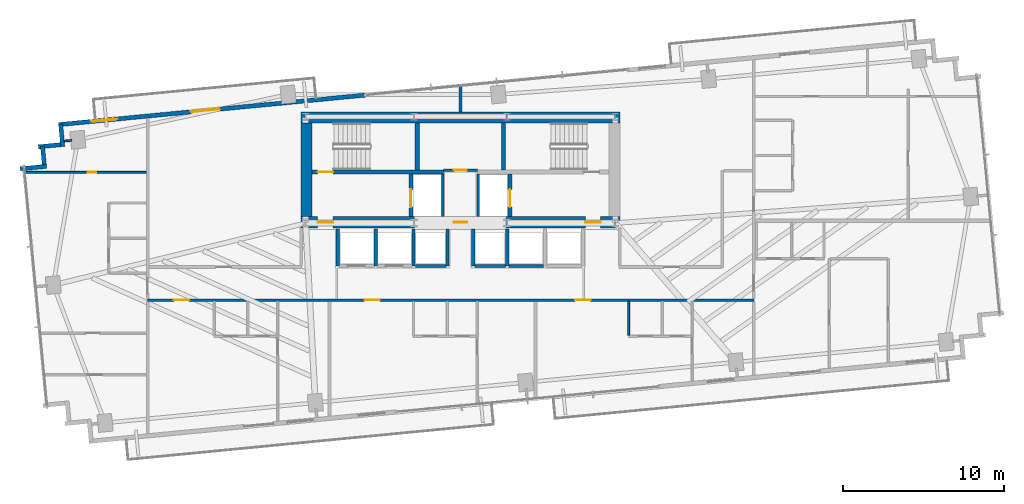
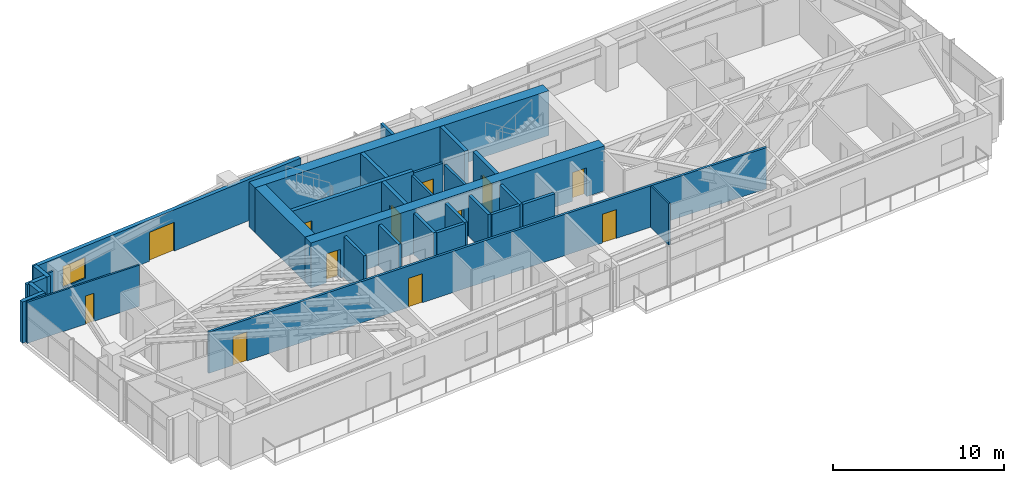
# One storey, part 22 of 27: 30 walls, 12 doors, 1 window, 13 openings.
"""IFC4 building model written with IfcOpenShell, lengths in metres."""

from ifc_helpers import new_model, si_unit, direction, frame, frame_2d, origin, place, context, subcontext, project, spatial, rectangle, extrude, source, transform, mapped, material, layer, layer_set, type_object, type_shapes, element, fill, save


model = new_model("IFC4")

# Units and contexts
model_context = context("Model", 3, precision=1e-05, world=origin(), true_north=direction((0.0, 1.0)))
body_context = subcontext(model_context, "Body", "Model", "MODEL_VIEW")
ifc_project = project(units=[si_unit("LENGTHUNIT", "METRE"), si_unit("AREAUNIT", "SQUARE_METRE"), si_unit("VOLUMEUNIT", "CUBIC_METRE"), si_unit("PLANEANGLEUNIT", "RADIAN"), si_unit("MASSUNIT", "GRAM", prefix="KILO")], contexts=[model_context])

# Site, building, storey
site_placement = place(None, origin())
site = spatial("IfcSite", under=ifc_project, at=site_placement, CompositionType="ELEMENT")
building_placement = place(site_placement, origin())
building = spatial("IfcBuilding", under=site, at=building_placement, Name="Astriad Promenade Condominiums", CompositionType="ELEMENT")
storey_placement = place(building_placement, frame((0.0, 0.0, 93.800048828125)))
storey = spatial("IfcBuildingStorey", under=building, at=storey_placement, Name="L26", CompositionType="ELEMENT", Elevation=93.800048828125)

# Wall, openings, doors
ifc_material_1 = material(Name="Concrete C60/75", Category="concrete")
ifc_layer_1 = layer(ifc_material_1, 0.699951171875)
ifc_layer_set_1 = layer_set([ifc_layer_1], Name="Concrete C60/75")
wall_type_1 = type_object("IfcWallType", Name="CW-SHEAR-700", PredefinedType="SHEAR", material=ifc_layer_set_1)
wall_1_placement = place(storey_placement, frame((26.10009765625, 17.449951171875, 0.0), z_axis=(0.0, 0.0, 1.0), x_axis=(1.0, 0.0, 0.0)))
wall_1 = element("IfcWall", 1, at=wall_1_placement, inside=storey, type_object=wall_type_1, Name="CW-CORE-S-L26", PredefinedType="SHEAR", context=body_context, shape_type="SweptSolid", body=[
    extrude(rectangle(XDim=19.7998046875, YDim=0.699951171875, at=frame_2d((9.89990234375, 0.0))), origin(), (0.0, 0.0, 1.0), 3.199951171875),
])
opening_1_placement = place(wall_1_placement, frame((1.050048828125, 0.0, 0.0)))
opening_1 = element("IfcOpeningElement", 2, at=opening_1_placement, cuts=wall_1, Name="Opening FD90-ST-095", PredefinedType="OPENING", context=body_context, shape_type="SweptSolid", body=[
    extrude(rectangle(XDim=0.949951171875, YDim=2.06005859375, at=frame_2d((0.47509765625, 1.030029296875))), frame((0.0, 0.35986328125, 0.0), z_axis=(0.0, -1.0, 0.0), x_axis=(1.0, 0.0, 0.0)), (0.0, 0.0, 1.0), 0.719970703125),
])
opening_2_placement = place(wall_1_placement, frame((9.47998046875, 0.0, 0.0)))
opening_2 = element("IfcOpeningElement", 3, at=opening_2_placement, cuts=wall_1, Name="Opening FD60-ULOW-085", PredefinedType="OPENING", context=body_context, shape_type="SweptSolid", body=[
    extrude(rectangle(XDim=0.85009765625, YDim=2.0, at=frame_2d((0.425048828125, 1.0))), frame((0.0, 0.35986328125, 0.0), z_axis=(0.0, -1.0, 0.0), x_axis=(1.0, 0.0, 0.0)), (0.0, 0.0, 1.0), 0.719970703125),
])
opening_3_placement = place(wall_1_placement, frame((17.64990234375, 0.0, 0.0)))
opening_3 = element("IfcOpeningElement", 4, at=opening_3_placement, cuts=wall_1, Name="Opening FD90-ST-095", PredefinedType="OPENING", context=body_context, shape_type="SweptSolid", body=[
    extrude(rectangle(XDim=0.949951171875, YDim=2.06005859375, at=frame_2d((0.47509765625, 1.030029296875))), frame((0.0, 0.35986328125, 0.0), z_axis=(0.0, -1.0, 0.0), x_axis=(1.0, 0.0, 0.0)), (0.0, 0.0, 1.0), 0.719970703125),
])
ifc_material_2 = material(Name="Fire-Rated Hollow Metal Stair Door")
door_type_1 = type_object("IfcDoorType", Name="FD90-ST-095", OperationType="NOTDEFINED", PredefinedType="DOOR", material=ifc_material_2)
shared_shape_1 = source(origin(), body_context, "Body", "SweptSolid", [
    extrude(rectangle(XDim=0.949951171875, YDim=2.06005859375, at=frame_2d((0.47509765625, 1.030029296875))), frame((0.0, 0.02490234375, 0.0), z_axis=(0.0, -1.0, 0.0), x_axis=(1.0, 0.0, 0.0)), (0.0, 0.0, 1.0), 0.050048828125),
])
type_shapes(door_type_1, [shared_shape_1])
door_1_placement = place(opening_1_placement, origin())
door_1 = element("IfcDoor", 5, at=door_1_placement, inside=storey, type_object=door_type_1, Name="D-FFW-L26", OperationType="SINGLE_SWING_LEFT", OverallHeight=2.06005859375, OverallWidth=0.949951171875, PredefinedType="DOOR", context=body_context, shape_type="MappedRepresentation", body=[
    mapped(shared_shape_1, transform((0.0, 0.0, 0.0), scale=1.0)),
])
fill(opening_1, door_1)
door_2_placement = place(opening_3_placement, origin())
door_2 = element("IfcDoor", 6, at=door_2_placement, inside=storey, type_object=door_type_1, Name="D-FFE-L26", OperationType="SINGLE_SWING_RIGHT", OverallHeight=2.06005859375, OverallWidth=0.949951171875, PredefinedType="DOOR", context=body_context, shape_type="MappedRepresentation", body=[
    mapped(shared_shape_1, transform((0.0, 0.0, 0.0), scale=1.0)),
])
fill(opening_3, door_2)
ifc_material_3 = material(Name="Solid-Core Low-Headroom Fire Door")
door_type_2 = type_object("IfcDoorType", Name="FD60-ULOW-085", OperationType="NOTDEFINED", PredefinedType="DOOR", material=ifc_material_3)
shared_shape_2 = source(origin(), body_context, "Body", "SweptSolid", [
    extrude(rectangle(XDim=0.85009765625, YDim=2.0, at=frame_2d((0.425048828125, 1.0))), frame((0.0, 0.02490234375, 0.0), z_axis=(0.0, -1.0, 0.0), x_axis=(1.0, 0.0, 0.0)), (0.0, 0.0, 1.0), 0.050048828125),
])
type_shapes(door_type_2, [shared_shape_2])
door_3_placement = place(opening_2_placement, origin())
door_3 = element("IfcDoor", 7, at=door_3_placement, inside=storey, type_object=door_type_2, Name="D-CSL-L26", OperationType="SINGLE_SWING_RIGHT", OverallHeight=2.0, OverallWidth=0.85009765625, PredefinedType="DOOR", context=body_context, shape_type="MappedRepresentation", body=[
    mapped(shared_shape_2, transform((0.0, 0.0, 0.0), scale=1.0)),
])
fill(opening_2, door_3)

# Walls
wall_2_placement = place(storey_placement, frame((26.10009765625, 23.949951171875, 0.0), z_axis=(0.0, 0.0, 1.0), x_axis=(1.0, 0.0, 0.0)))
element("IfcWall", 8, at=wall_2_placement, inside=storey, type_object=wall_type_1, Name="CW-CORE-N-L26", PredefinedType="SHEAR", context=body_context, shape_type="SweptSolid", body=[
    extrude(rectangle(XDim=19.7998046875, YDim=0.699951171875, at=frame_2d((9.89990234375, 0.0))), origin(), (0.0, 0.0, 1.0), 3.199951171875),
])
wall_3_placement = place(storey_placement, frame((26.449951171875, 17.802001953125, 0.0), z_axis=(0.0, 0.0, 1.0), x_axis=(0.0, 1.0, 0.0)))
element("IfcWall", 9, at=wall_3_placement, inside=storey, type_object=wall_type_1, Name="CW-CORE-W-L26", PredefinedType="SHEAR", context=body_context, shape_type="SweptSolid", body=[
    extrude(rectangle(XDim=5.7958984375, YDim=0.699951171875, at=frame_2d((2.89794921875, 0.0))), origin(), (0.0, 0.0, 1.0), 3.199951171875),
])

# Wall, opening, door
ifc_material_4 = material(Name="Concrete C50/60", Category="concrete")
ifc_layer_2 = layer(ifc_material_4, 0.25)
ifc_layer_set_2 = layer_set([ifc_layer_2], Name="Concrete C50/60")
wall_type_2 = type_object("IfcWallType", Name="WALL-CORE-INT-250", PredefinedType="SOLIDWALL", material=ifc_layer_set_2)
wall_4_placement = place(storey_placement, frame((26.802001953125, 20.574951171875, 0.0), z_axis=(0.0, 0.0, 1.0), x_axis=(1.0, 0.0, 0.0)))
wall_4 = element("IfcWall", 10, at=wall_4_placement, inside=storey, type_object=wall_type_2, Name="CW-INT-H1-L26", PredefinedType="SOLIDWALL", context=body_context, shape_type="SweptSolid", body=[
    extrude(rectangle(XDim=8.14794921875, YDim=0.25, at=frame_2d((4.073974609375, 0.0))), origin(), (0.0, 0.0, 1.0), 3.199951171875),
])
opening_4_placement = place(wall_4_placement, frame((0.347900390625, 0.0, 0.0)))
opening_4 = element("IfcOpeningElement", 11, at=opening_4_placement, cuts=wall_4, Name="Opening FD90-ST-095", PredefinedType="OPENING", context=body_context, shape_type="SweptSolid", body=[
    extrude(rectangle(XDim=0.949951171875, YDim=2.06005859375, at=frame_2d((0.47509765625, 1.030029296875))), frame((0.0, 0.135009765625, 0.0), z_axis=(0.0, -1.0, 0.0), x_axis=(1.0, 0.0, 0.0)), (0.0, 0.0, 1.0), 0.27001953125),
])
door_4_placement = place(opening_4_placement, origin())
door_4 = element("IfcDoor", 12, at=door_4_placement, inside=storey, type_object=door_type_1, Name="D-ST1-L26", OperationType="SINGLE_SWING_RIGHT", OverallHeight=2.06005859375, OverallWidth=0.949951171875, PredefinedType="DOOR", context=body_context, shape_type="MappedRepresentation", body=[
    mapped(shared_shape_1, transform((0.0, 0.0, 0.0), scale=1.0)),
])
fill(opening_4, door_4)

# Walls
for number, where, z_axis, x_axis, name in (
    (13, (33.324951171875, 20.701904296875, 0.0), (0.0, 0.0, 1.0), (0.0, 1.0, 0.0), "CW-ST1-E-L26"),
    (14, (38.675048828125, 20.701904296875, 0.0), (0.0, 0.0, 1.0), (0.0, 1.0, 0.0), "CW-ST2-W-L26"),
):
    element("IfcWall", number, at=place(storey_placement, frame(where, z_axis=z_axis, x_axis=x_axis)), inside=storey, type_object=wall_type_2, Name=name, PredefinedType="SOLIDWALL", context=body_context, shape_type="SweptSolid", body=[
        extrude(rectangle(XDim=2.89599609375, YDim=0.25, at=frame_2d((1.447998046875, 0.0))), origin(), (0.0, 0.0, 1.0), 3.199951171875),
    ])

# Wall, opening, door
wall_5_placement = place(storey_placement, frame((32.925048828125, 17.802001953125, 0.0), z_axis=(0.0, 0.0, 1.0), x_axis=(0.0, 1.0, 0.0)))
wall_5 = element("IfcWall", 15, at=wall_5_placement, inside=storey, type_object=wall_type_2, Name="CW-FFL1-W-L26", PredefinedType="SOLIDWALL", context=body_context, shape_type="SweptSolid", body=[
    extrude(rectangle(XDim=2.64599609375, YDim=0.25, at=frame_2d((1.322998046875, 0.0))), origin(), (0.0, 0.0, 1.0), 3.199951171875),
])
opening_5_placement = place(wall_5_placement, frame((0.597900390625, 0.0, 0.0)))
opening_5 = element("IfcOpeningElement", 16, at=opening_5_placement, cuts=wall_5, Name="Opening LD-FFL-1122", PredefinedType="OPENING", context=body_context, shape_type="SweptSolid", body=[
    extrude(rectangle(XDim=1.10009765625, YDim=2.080078125, at=frame_2d((0.550048828125, 1.0400390625))), frame((0.0, 0.135009765625, 0.0), z_axis=(0.0, -1.0, 0.0), x_axis=(1.0, 0.0, 0.0)), (0.0, 0.0, 1.0), 0.27001953125),
])
ifc_material_5 = material(Name="Brushed Stainless Steel Fire Elevator Landing Door", Category="steel")
door_type_3 = type_object("IfcDoorType", Name="LD-FFL-1122", OperationType="NOTDEFINED", PredefinedType="DOOR", material=ifc_material_5)
shared_shape_3 = source(origin(), body_context, "Body", "SweptSolid", [
    extrude(rectangle(XDim=1.10009765625, YDim=2.080078125, at=frame_2d((0.550048828125, 1.0400390625))), frame((0.0, 0.02490234375, 0.0), z_axis=(0.0, -1.0, 0.0), x_axis=(1.0, 0.0, 0.0)), (0.0, 0.0, 1.0), 0.050048828125),
])
type_shapes(door_type_3, [shared_shape_3])
door_5_placement = place(opening_5_placement, origin())
door_5 = element("IfcDoor", 17, at=door_5_placement, inside=storey, type_object=door_type_3, Name="Elevator Landing Door FFL-1 (L26)", OperationType="SLIDING_TO_LEFT", OverallHeight=2.080078125, OverallWidth=1.10009765625, PredefinedType="DOOR", context=body_context, shape_type="MappedRepresentation", body=[
    mapped(shared_shape_3, transform((0.0, 0.0, 0.0), scale=1.0)),
])
fill(opening_5, door_5)

wall_6_placement = place(storey_placement, frame((39.074951171875, 17.802001953125, 0.0), z_axis=(0.0, 0.0, 1.0), x_axis=(0.0, 1.0, 0.0)))
wall_6 = element("IfcWall", 18, at=wall_6_placement, inside=storey, type_object=wall_type_2, Name="CW-FFL2-E-L26", PredefinedType="SOLIDWALL", context=body_context, shape_type="SweptSolid", body=[
    extrude(rectangle(XDim=2.64599609375, YDim=0.25, at=frame_2d((1.322998046875, 0.0))), origin(), (0.0, 0.0, 1.0), 3.199951171875),
])
opening_6_placement = place(wall_6_placement, frame((0.597900390625, 0.0, 0.0)))
opening_6 = element("IfcOpeningElement", 19, at=opening_6_placement, cuts=wall_6, Name="Opening LD-FFL-1122", PredefinedType="OPENING", context=body_context, shape_type="SweptSolid", body=[
    extrude(rectangle(XDim=1.10009765625, YDim=2.080078125, at=frame_2d((0.550048828125, 1.0400390625))), frame((0.0, 0.135009765625, 0.0), z_axis=(0.0, -1.0, 0.0), x_axis=(1.0, 0.0, 0.0)), (0.0, 0.0, 1.0), 0.27001953125),
])
door_6_placement = place(opening_6_placement, origin())
door_6 = element("IfcDoor", 20, at=door_6_placement, inside=storey, type_object=door_type_3, Name="Elevator Landing Door FFL-2 (L26)", OperationType="SLIDING_TO_RIGHT", OverallHeight=2.080078125, OverallWidth=1.10009765625, PredefinedType="DOOR", context=body_context, shape_type="MappedRepresentation", body=[
    mapped(shared_shape_3, transform((0.0, 0.0, 0.0), scale=1.0)),
])
fill(opening_6, door_6)

# Walls
ifc_material_6 = material(Name="Fire-Rated Gypsum Partition")
ifc_layer_3 = layer(ifc_material_6, 0.159912109375)
ifc_layer_set_3 = layer_set([ifc_layer_3], Name="Fire-Rated Gypsum Partition")
wall_type_3 = type_object("IfcWallType", Name="WALL-CORR-160", PredefinedType="PARTITIONING", material=ifc_layer_set_3)
for number, where, z_axis, x_axis, name in (
    (21, (34.89990234375, 17.802001953125, 0.0), (0.0, 0.0, 1.0), (0.0, 1.0, 0.0), "CW-FFL1-E-L26"),
    (22, (37.10009765625, 17.802001953125, 0.0), (0.0, 0.0, 1.0), (0.0, 1.0, 0.0), "CW-FFL2-W-L26"),
):
    element("IfcWall", number, at=place(storey_placement, frame(where, z_axis=z_axis, x_axis=x_axis)), inside=storey, type_object=wall_type_3, Name=name, PredefinedType="PARTITIONING", context=body_context, shape_type="SweptSolid", body=[
        extrude(rectangle(XDim=2.64599609375, YDim=0.159912109375, at=frame_2d((1.322998046875, 0.0))), origin(), (0.0, 0.0, 1.0), 2.93994140625),
    ])

# Wall, opening, door
wall_7_placement = place(storey_placement, frame((34.949951171875, 20.68994140625, 0.0), z_axis=(0.0, 0.0, 1.0), x_axis=(1.0, 0.0, 0.0)))
wall_7 = element("IfcWall", 23, at=wall_7_placement, inside=storey, type_object=wall_type_3, Name="CW-AUX-S-L26", PredefinedType="PARTITIONING", context=body_context, shape_type="SweptSolid", body=[
    extrude(rectangle(XDim=2.10009765625, YDim=0.159912109375, at=frame_2d((1.050048828125, 0.0))), origin(), (0.0, 0.0, 1.0), 2.93994140625),
])
opening_7_placement = place(wall_7_placement, frame((0.64990234375, 0.0, 0.0)))
opening_7 = element("IfcOpeningElement", 24, at=opening_7_placement, cuts=wall_7, Name="Opening FD60-SV-080", PredefinedType="OPENING", context=body_context, shape_type="SweptSolid", body=[
    extrude(rectangle(XDim=0.800048828125, YDim=2.050048828125, at=frame_2d((0.39990234375, 1.02490234375))), frame((0.0, 0.08984375, 0.0), z_axis=(0.0, -1.0, 0.0), x_axis=(1.0, 0.0, 0.0)), (0.0, 0.0, 1.0), 0.179931640625),
])
ifc_material_7 = material(Name="Fire-Rated Riser Closet Door")
door_type_4 = type_object("IfcDoorType", Name="FD60-SV-080", OperationType="NOTDEFINED", PredefinedType="DOOR", material=ifc_material_7)
shared_shape_4 = source(origin(), body_context, "Body", "SweptSolid", [
    extrude(rectangle(XDim=0.800048828125, YDim=2.050048828125, at=frame_2d((0.39990234375, 1.02490234375))), frame((0.0, 0.02490234375, 0.0), z_axis=(0.0, -1.0, 0.0), x_axis=(1.0, 0.0, 0.0)), (0.0, 0.0, 1.0), 0.050048828125),
])
type_shapes(door_type_4, [shared_shape_4])
door_7_placement = place(opening_7_placement, origin())
door_7 = element("IfcDoor", 25, at=door_7_placement, inside=storey, type_object=door_type_4, Name="D-AUX1-L26", OperationType="SINGLE_SWING_RIGHT", OverallHeight=2.050048828125, OverallWidth=0.800048828125, PredefinedType="DOOR", context=body_context, shape_type="MappedRepresentation", body=[
    mapped(shared_shape_4, transform((0.0, 0.0, 0.0), scale=1.0)),
])
fill(opening_7, door_7)

# Wall, openings, doors
wall_8_placement = place(storey_placement, frame((16.60009765625, 12.6298828125, 0.0), z_axis=(0.0, 0.0, 1.0), x_axis=(1.0, 0.0, 0.0)))
wall_8 = element("IfcWall", 26, at=wall_8_placement, inside=storey, type_object=wall_type_3, Name="PT-COR-S-L26", PredefinedType="PARTITIONING", context=body_context, shape_type="SweptSolid", body=[
    extrude(rectangle(XDim=37.599853515625, YDim=0.159912109375, at=frame_2d((18.7998046875, 0.0))), origin(), (0.0, 0.0, 1.0), 2.93994140625),
])
opening_8_placement = place(wall_8_placement, frame((1.6259765625, 0.0, 0.0)))
opening_8 = element("IfcOpeningElement", 27, at=opening_8_placement, cuts=wall_8, Name="Opening FD60-APT-095", PredefinedType="OPENING", context=body_context, shape_type="SweptSolid", body=[
    extrude(rectangle(XDim=0.949951171875, YDim=2.06005859375, at=frame_2d((0.47509765625, 1.030029296875))), frame((0.0, 0.08984375, 0.0), z_axis=(0.0, -1.0, 0.0), x_axis=(1.0, 0.0, 0.0)), (0.0, 0.0, 1.0), 0.179931640625),
])
opening_9_placement = place(wall_8_placement, frame((13.4599609375, 0.0, 0.0)))
opening_9 = element("IfcOpeningElement", 28, at=opening_9_placement, cuts=wall_8, Name="Opening FD60-APT-095", PredefinedType="OPENING", context=body_context, shape_type="SweptSolid", body=[
    extrude(rectangle(XDim=0.949951171875, YDim=2.06005859375, at=frame_2d((0.47509765625, 1.030029296875))), frame((0.0, 0.08984375, 0.0), z_axis=(0.0, -1.0, 0.0), x_axis=(1.0, 0.0, 0.0)), (0.0, 0.0, 1.0), 0.179931640625),
])
opening_10_placement = place(wall_8_placement, frame((26.52197265625, 0.0, 0.0)))
opening_10 = element("IfcOpeningElement", 29, at=opening_10_placement, cuts=wall_8, Name="Opening FD60-APT-095", PredefinedType="OPENING", context=body_context, shape_type="SweptSolid", body=[
    extrude(rectangle(XDim=0.949951171875, YDim=2.06005859375, at=frame_2d((0.47509765625, 1.030029296875))), frame((0.0, 0.08984375, 0.0), z_axis=(0.0, -1.0, 0.0), x_axis=(1.0, 0.0, 0.0)), (0.0, 0.0, 1.0), 0.179931640625),
])
ifc_material_8 = material(Name="Solid-Core Acoustic Timber Residence Entry Door", Category="wood")
door_type_5 = type_object("IfcDoorType", Name="FD60-APT-095", OperationType="NOTDEFINED", PredefinedType="DOOR", material=ifc_material_8)
shared_shape_5 = source(origin(), body_context, "Body", "SweptSolid", [
    extrude(rectangle(XDim=0.949951171875, YDim=2.06005859375, at=frame_2d((0.47509765625, 1.030029296875))), frame((0.0, 0.02490234375, 0.0), z_axis=(0.0, -1.0, 0.0), x_axis=(1.0, 0.0, 0.0)), (0.0, 0.0, 1.0), 0.050048828125),
])
type_shapes(door_type_5, [shared_shape_5])
door_8_placement = place(opening_8_placement, origin())
door_8 = element("IfcDoor", 30, at=door_8_placement, inside=storey, type_object=door_type_5, Name="D-ENT-L26-S1", OperationType="SINGLE_SWING_LEFT", OverallHeight=2.06005859375, OverallWidth=0.949951171875, PredefinedType="DOOR", context=body_context, shape_type="MappedRepresentation", body=[
    mapped(shared_shape_5, transform((0.0, 0.0, 0.0), scale=1.0)),
])
fill(opening_8, door_8)
door_9_placement = place(opening_9_placement, origin())
door_9 = element("IfcDoor", 31, at=door_9_placement, inside=storey, type_object=door_type_5, Name="D-ENT-L26-S2", OperationType="SINGLE_SWING_LEFT", OverallHeight=2.06005859375, OverallWidth=0.949951171875, PredefinedType="DOOR", context=body_context, shape_type="MappedRepresentation", body=[
    mapped(shared_shape_5, transform((0.0, 0.0, 0.0), scale=1.0)),
])
fill(opening_9, door_9)
door_10_placement = place(opening_10_placement, origin())
door_10 = element("IfcDoor", 32, at=door_10_placement, inside=storey, type_object=door_type_5, Name="D-ENT-L26-S3", OperationType="SINGLE_SWING_LEFT", OverallHeight=2.06005859375, OverallWidth=0.949951171875, PredefinedType="DOOR", context=body_context, shape_type="MappedRepresentation", body=[
    mapped(shared_shape_5, transform((0.0, 0.0, 0.0), scale=1.0)),
])
fill(opening_10, door_10)

# Walls
ifc_material_9 = material(Name="Acoustic Double-Stud Gypsum Partition")
ifc_layer_4 = layer(ifc_material_9, 0.199951171875)
ifc_layer_set_4 = layer_set([ifc_layer_4], Name="Acoustic Double-Stud Gypsum Partition")
wall_type_4 = type_object("IfcWallType", Name="WALL-DEMISING-200", PredefinedType="PARTITIONING", material=ifc_layer_set_4)
wall_9_placement = place(storey_placement, frame((36.0, 24.302001953125, 0.0), z_axis=(0.0, 0.0, 1.0), x_axis=(0.0, 1.0, 0.0)))
element("IfcWall", 33, at=wall_9_placement, inside=storey, type_object=wall_type_4, Name="PT-NC-MID-L26", PredefinedType="PARTITIONING", context=body_context, shape_type="SweptSolid", body=[
    extrude(rectangle(XDim=1.65576171875, YDim=0.199951171875, at=frame_2d((0.827880859375, 0.0))), origin(), (0.0, 0.0, 1.0), 2.93994140625),
])
ifc_material_10 = material(Name="Precast concrete C50/60", Category="concrete")
ifc_layer_5 = layer(ifc_material_10, 0.260009765625)
ifc_layer_set_5 = layer_set([ifc_layer_5], Name="Precast concrete C50/60")
wall_type_5 = type_object("IfcWallType", Name="WALL-EXT-TWR-260", PredefinedType="STANDARD", material=ifc_layer_set_5)
wall_10_placement = place(storey_placement, frame((8.701416015625, 20.767333984375, 0.0), z_axis=(0.0, 0.0, 1.0), x_axis=(0.995394563142, 0.095862733462, 0.0)))
element("IfcWall", 34, at=wall_10_placement, inside=storey, type_object=wall_type_5, Name="W-SER-L26-04", PredefinedType="STANDARD", context=body_context, shape_type="SweptSolid", body=[
    extrude(rectangle(XDim=1.64013671875, YDim=0.260009765625, at=frame_2d((0.820068359375, 0.0))), origin(), (0.0, 0.0, 1.0), 2.93994140625),
])
wall_11_placement = place(storey_placement, frame((10.193359375, 21.026611328125, 0.0), z_axis=(0.0, 0.0, 1.0), x_axis=(-0.095740721699, 0.995406306092, 0.0)))
element("IfcWall", 35, at=wall_11_placement, inside=storey, type_object=wall_type_5, Name="W-SER-L26-05", PredefinedType="STANDARD", context=body_context, shape_type="SweptSolid", body=[
    extrude(rectangle(XDim=1.150146484375, YDim=0.260009765625, at=frame_2d((0.5751953125, 0.0))), origin(), (0.0, 0.0, 1.0), 2.93994140625),
])
wall_12_placement = place(storey_placement, frame((9.825927734375, 22.13134765625, 0.0), z_axis=(0.0, 0.0, 1.0), x_axis=(0.995389446633, 0.095915846097, 0.0)))
element("IfcWall", 36, at=wall_12_placement, inside=storey, type_object=wall_type_5, Name="W-SER-L26-06", PredefinedType="STANDARD", context=body_context, shape_type="SweptSolid", body=[
    extrude(rectangle(XDim=1.394775390625, YDim=0.260009765625, at=frame_2d((0.697265625, 0.0))), origin(), (0.0, 0.0, 1.0), 2.93994140625),
])
wall_13_placement = place(storey_placement, frame((11.34130859375, 22.146728515625, 0.0), z_axis=(0.0, 0.0, 1.0), x_axis=(-0.09589913835, 0.995391056452, 0.0)))
element("IfcWall", 37, at=wall_13_placement, inside=storey, type_object=wall_type_5, Name="W-SER-L26-07", PredefinedType="STANDARD", context=body_context, shape_type="SweptSolid", body=[
    extrude(rectangle(XDim=1.39501953125, YDim=0.260009765625, at=frame_2d((0.697509765625, 0.0))), origin(), (0.0, 0.0, 1.0), 2.93994140625),
])

# Wall, openings, door, window
wall_14_placement = place(storey_placement, frame((11.07958984375, 23.508056640625, 0.0), z_axis=(0.0, 0.0, 1.0), x_axis=(0.995396638587, 0.095841180552, 0.0)))
wall_14 = element("IfcWall", 38, at=wall_14_placement, inside=storey, type_object=wall_type_5, Name="W-EXT-L26-N1", PredefinedType="STANDARD", context=body_context, shape_type="SweptSolid", body=[
    extrude(rectangle(XDim=19.110107421875, YDim=0.260009765625, at=frame_2d((9.55517578125, 0.0))), origin(), (0.0, 0.0, 1.0), 2.93994140625),
])
opening_11_placement = place(wall_14_placement, frame((8.2509765625, 0.0, 0.0)))
opening_11 = element("IfcOpeningElement", 39, at=opening_11_placement, cuts=wall_14, Name="Opening BD-1822-SLD", PredefinedType="OPENING", context=body_context, shape_type="SweptSolid", body=[
    extrude(rectangle(XDim=1.800048828125, YDim=2.06005859375, at=frame_2d((0.89990234375, 1.030029296875))), frame((0.0, 0.139892578125, 0.0), z_axis=(0.0, -1.0, 0.0), x_axis=(1.0, 0.0, 0.0)), (0.0, 0.0, 1.0), 0.280029296875),
])
opening_12_placement = place(wall_14_placement, frame((2.050048828125, 0.0, 0.64990234375)))
opening_12 = element("IfcOpeningElement", 40, at=opening_12_placement, cuts=wall_14, Name="Opening WIN-TWR-1620", PredefinedType="OPENING", context=body_context, shape_type="SweptSolid", body=[
    extrude(rectangle(XDim=1.60009765625, YDim=1.5, at=frame_2d((0.800048828125, 0.75))), frame((0.0, 0.139892578125, 0.0), z_axis=(0.0, -1.0, 0.0), x_axis=(1.0, 0.0, 0.0)), (0.0, 0.0, 1.0), 0.280029296875),
])
ifc_material_11 = material(Name="Thermally Broken Aluminium Sliding Balcony Door", Category="aluminium")
door_type_6 = type_object("IfcDoorType", Name="BD-1822-SLD", OperationType="NOTDEFINED", PredefinedType="DOOR", material=ifc_material_11)
shared_shape_6 = source(origin(), body_context, "Body", "SweptSolid", [
    extrude(rectangle(XDim=1.800048828125, YDim=2.06005859375, at=frame_2d((0.89990234375, 1.030029296875))), frame((0.0, 0.02490234375, 0.0), z_axis=(0.0, -1.0, 0.0), x_axis=(1.0, 0.0, 0.0)), (0.0, 0.0, 1.0), 0.050048828125),
])
type_shapes(door_type_6, [shared_shape_6])
door_11_placement = place(opening_11_placement, origin())
door_11 = element("IfcDoor", 41, at=door_11_placement, inside=storey, type_object=door_type_6, Name="BD-L26-NW", OperationType="SLIDING_TO_LEFT", OverallHeight=2.06005859375, OverallWidth=1.800048828125, PredefinedType="DOOR", context=body_context, shape_type="MappedRepresentation", body=[
    mapped(shared_shape_6, transform((0.0, 0.0, 0.0), scale=1.0)),
])
fill(opening_11, door_11)
ifc_material_12 = material(Name="Dark Tinted Triple-Glazed Aluminium Window", Category="aluminium")
window_type = type_object("IfcWindowType", Name="WIN-TWR-1620", PartitioningType="SINGLE_PANEL", PredefinedType="WINDOW", material=ifc_material_12)
shared_shape_7 = source(origin(), body_context, "Body", "SweptSolid", [
    extrude(rectangle(XDim=1.60009765625, YDim=1.5, at=frame_2d((0.800048828125, 0.75))), frame((0.0, 0.030029296875, 0.0), z_axis=(0.0, -1.0, 0.0), x_axis=(1.0, 0.0, 0.0)), (0.0, 0.0, 1.0), 0.06005859375),
])
type_shapes(window_type, [shared_shape_7])
window_placement = place(opening_12_placement, origin())
window = element("IfcWindow", 42, at=window_placement, inside=storey, type_object=window_type, Name="WIN-L26-NW", OverallHeight=1.5, OverallWidth=1.60009765625, PartitioningType="SINGLE_PANEL", PredefinedType="WINDOW", context=body_context, shape_type="MappedRepresentation", body=[
    mapped(shared_shape_7, transform((0.0, 0.0, 0.0), scale=1.0)),
])
fill(opening_12, window)

# Wall
ifc_material_13 = material(Name="Acoustic Metal-Stud Gypsum Partition")
ifc_layer_6 = layer(ifc_material_13, 0.1201171875)
ifc_layer_set_6 = layer_set([ifc_layer_6], Name="Acoustic Metal-Stud Gypsum Partition")
wall_type_6 = type_object("IfcWallType", Name="WALL-PART-120", PredefinedType="PARTITIONING", material=ifc_layer_set_6)
wall_15_placement = place(storey_placement, frame((46.429931640625, 10.44189453125, 0.0), z_axis=(0.0, 0.0, 1.0), x_axis=(0.0, 1.0, 0.0)))
element("IfcWall", 43, at=wall_15_placement, inside=storey, type_object=wall_type_6, Name="PT-L26-S3-PKW", PredefinedType="PARTITIONING", context=body_context, shape_type="SweptSolid", body=[
    extrude(rectangle(XDim=2.106201171875, YDim=0.1201171875, at=frame_2d((1.05322265625, 0.0))), origin(), (0.0, 0.0, 1.0), 2.93994140625),
])

# Wall, opening, door
wall_16_placement = place(storey_placement, frame((8.93310546875, 20.552001953125, 0.0), z_axis=(0.0, 0.0, 1.0), x_axis=(1.0, 0.0, 0.0)))
wall_16 = element("IfcWall", 44, at=wall_16_placement, inside=storey, type_object=wall_type_6, Name="PT-L26-W1-B1", PredefinedType="PARTITIONING", context=body_context, shape_type="SweptSolid", body=[
    extrude(rectangle(XDim=7.5849609375, YDim=0.1201171875, at=frame_2d((3.79248046875, 0.0))), origin(), (0.0, 0.0, 1.0), 2.93994140625),
])
opening_13_placement = place(wall_16_placement, frame((3.94384765625, 0.0, 0.0)))
opening_13 = element("IfcOpeningElement", 45, at=opening_13_placement, cuts=wall_16, Name="Opening D-AC-055", PredefinedType="OPENING", context=body_context, shape_type="SweptSolid", body=[
    extrude(rectangle(XDim=0.550048828125, YDim=2.0, at=frame_2d((0.27490234375, 1.0))), frame((0.0, 0.070068359375, 0.0), z_axis=(0.0, -1.0, 0.0), x_axis=(1.0, 0.0, 0.0)), (0.0, 0.0, 1.0), 0.14013671875),
])
ifc_material_14 = material(Name="Painted Timber Access Door", Category="wood")
door_type_7 = type_object("IfcDoorType", Name="D-AC-055", OperationType="NOTDEFINED", PredefinedType="DOOR", material=ifc_material_14)
shared_shape_8 = source(origin(), body_context, "Body", "SweptSolid", [
    extrude(rectangle(XDim=0.550048828125, YDim=2.0, at=frame_2d((0.27490234375, 1.0))), frame((0.0, 0.02490234375, 0.0), z_axis=(0.0, -1.0, 0.0), x_axis=(1.0, 0.0, 0.0)), (0.0, 0.0, 1.0), 0.050048828125),
])
type_shapes(door_type_7, [shared_shape_8])
door_12_placement = place(opening_13_placement, origin())
door_12 = element("IfcDoor", 46, at=door_12_placement, inside=storey, type_object=door_type_7, Name="D-BD1-L26-W1", OperationType="SINGLE_SWING_RIGHT", OverallHeight=2.0, OverallWidth=0.550048828125, PredefinedType="DOOR", context=body_context, shape_type="MappedRepresentation", body=[
    mapped(shared_shape_8, transform((0.0, 0.0, 0.0), scale=1.0)),
])
fill(opening_13, door_12)

# Walls
wall_17_placement = place(storey_placement, frame((11.89697265625, 22.53173828125, 0.0), z_axis=(0.0, 0.0, 1.0), x_axis=(-0.995384576284, -0.09596637586, 0.0)))
element("IfcWall", 47, at=wall_17_placement, inside=storey, type_object=wall_type_6, Name="PT-PIL-L26-PC06-13", PredefinedType="PARTITIONING", context=body_context, shape_type="SweptSolid", body=[
    extrude(rectangle(XDim=0.4580078125, YDim=0.1201171875, at=frame_2d((0.22900390625, 0.0))), origin(), (0.0, 0.0, 1.0), 2.93994140625),
])
ifc_material_15 = material(Name="Gypsum Shaftliner Assembly")
ifc_layer_7 = layer(ifc_material_15, 0.199951171875)
ifc_layer_set_7 = layer_set([ifc_layer_7], Name="Gypsum Shaftliner Assembly")
wall_type_7 = type_object("IfcWallType", Name="WALL-SHAFT-200", PredefinedType="PARTITIONING", material=ifc_layer_set_7)
for number, where, z_axis, x_axis, name in (
    (48, (28.39990234375, 14.75, 0.0), (0.0, 0.0, 1.0), (0.0, 1.0, 0.0), "PL-W-OUT-L26"),
    (49, (30.75, 14.75, 0.0), (0.0, 0.0, 1.0), (0.0, 1.0, 0.0), "PL-L-DIV-L26"),
    (50, (33.10009765625, 14.75, 0.0), (0.0, 0.0, 1.0), (0.0, 1.0, 0.0), "PL-LM-DIV-L26"),
    (51, (35.199951171875, 14.75, 0.0), (0.0, 0.0, 1.0), (0.0, 1.0, 0.0), "PL-M1-E-L26"),
):
    element("IfcWall", number, at=place(storey_placement, frame(where, z_axis=z_axis, x_axis=x_axis)), inside=storey, type_object=wall_type_7, Name=name, PredefinedType="PARTITIONING", context=body_context, shape_type="SweptSolid", body=[
        extrude(rectangle(XDim=2.300048828125, YDim=0.199951171875, at=frame_2d((1.14990234375, 0.0))), origin(), (0.0, 0.0, 1.0), 2.93994140625),
    ])
wall_18_placement = place(storey_placement, frame((33.201904296875, 14.75, 0.0), z_axis=(0.0, 0.0, 1.0), x_axis=(1.0, 0.0, 0.0)))
element("IfcWall", 52, at=wall_18_placement, inside=storey, type_object=wall_type_7, Name="PL-M1-F-L26", PredefinedType="PARTITIONING", context=body_context, shape_type="SweptSolid", body=[
    extrude(rectangle(XDim=1.89599609375, YDim=0.199951171875, at=frame_2d((0.947998046875, 0.0))), origin(), (0.0, 0.0, 1.0), 2.93994140625),
])
for number, where, z_axis, x_axis, name in (
    (53, (36.800048828125, 14.75, 0.0), (0.0, 0.0, 1.0), (0.0, 1.0, 0.0), "PL-M2-W-L26"),
    (54, (38.89990234375, 14.75, 0.0), (0.0, 0.0, 1.0), (0.0, 1.0, 0.0), "PL-MH-DIV-L26"),
):
    element("IfcWall", number, at=place(storey_placement, frame(where, z_axis=z_axis, x_axis=x_axis)), inside=storey, type_object=wall_type_7, Name=name, PredefinedType="PARTITIONING", context=body_context, shape_type="SweptSolid", body=[
        extrude(rectangle(XDim=2.300048828125, YDim=0.199951171875, at=frame_2d((1.14990234375, 0.0))), origin(), (0.0, 0.0, 1.0), 2.93994140625),
    ])
wall_19_placement = place(storey_placement, frame((36.902099609375, 14.75, 0.0), z_axis=(0.0, 0.0, 1.0), x_axis=(1.0, 0.0, 0.0)))
element("IfcWall", 55, at=wall_19_placement, inside=storey, type_object=wall_type_7, Name="PL-M2-F-L26", PredefinedType="PARTITIONING", context=body_context, shape_type="SweptSolid", body=[
    extrude(rectangle(XDim=1.89599609375, YDim=0.199951171875, at=frame_2d((0.947998046875, 0.0))), origin(), (0.0, 0.0, 1.0), 2.93994140625),
])
wall_20_placement = place(storey_placement, frame((39.001953125, 14.75, 0.0), z_axis=(0.0, 0.0, 1.0), x_axis=(1.0, 0.0, 0.0)))
element("IfcWall", 56, at=wall_20_placement, inside=storey, type_object=wall_type_7, Name="PL-H-FRT-L26", PredefinedType="PARTITIONING", context=body_context, shape_type="SweptSolid", body=[
    extrude(rectangle(XDim=2.14599609375, YDim=0.199951171875, at=frame_2d((1.072998046875, 0.0))), origin(), (0.0, 0.0, 1.0), 2.93994140625),
])

save(model, "model.ifc")
